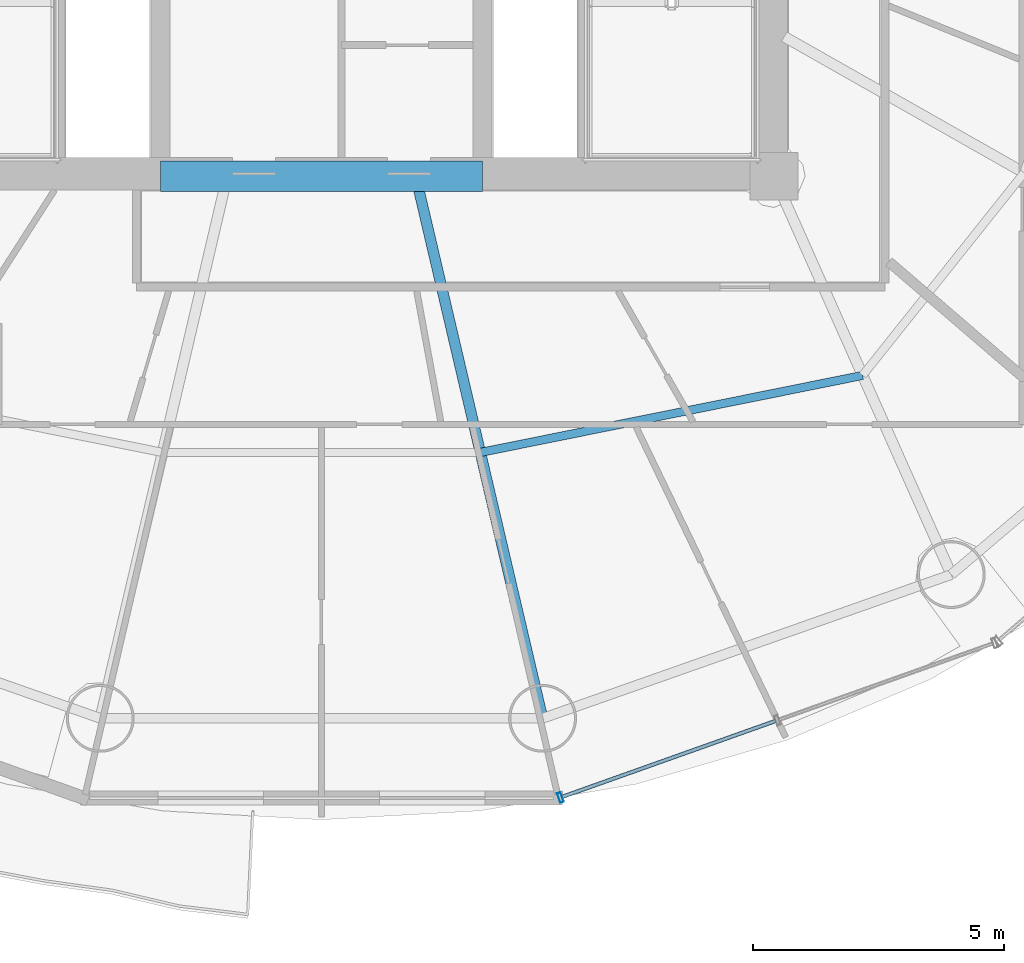
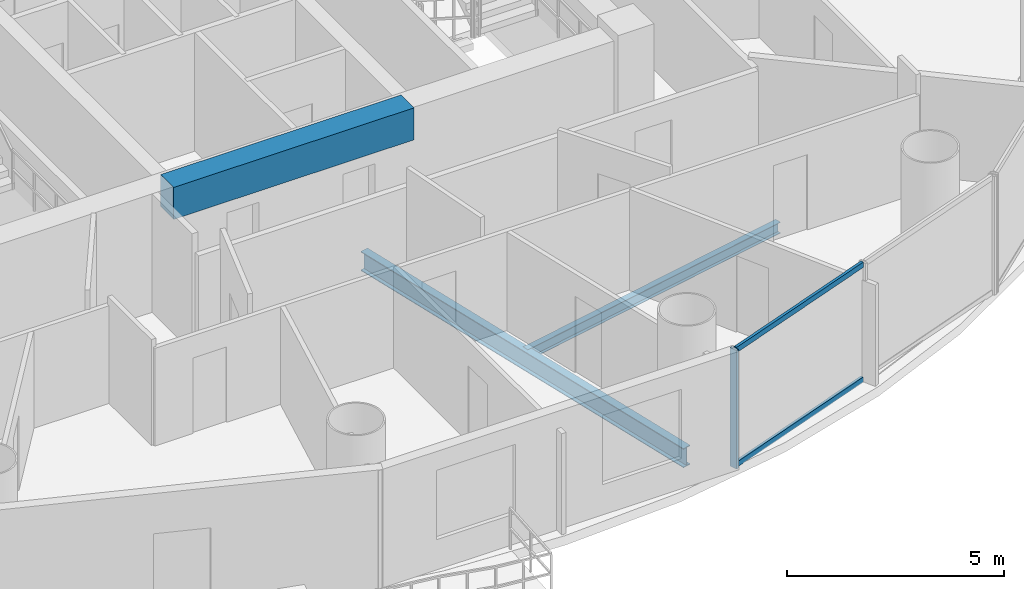
# One storey, part 5 of 27: 3 beams, 3 members, 1 element without a shape of its own.
"""IFC4 building model written with IfcOpenShell, lengths in metres."""

import ifcopenshell
import ifcopenshell.guid

model = None  # the IFC model being written
_history = None  # IfcOwnerHistory: only IFC2X3 demands one
_inside = {}  # id of a spatial element -> (the spatial element, [elements in it])
_under = {}  # id of a project, library or spatial element -> (it, [spatial elements below it])
_declared = {}  # id of a project -> (the project, [libraries it declares])
_typed = {}  # id of a type object -> (the type object, [elements of that type])
_made_of = {}  # id of a material, layer set ... -> (it, [elements and type objects made of it])


def new_model(schema):
    """Start an empty IFC model of exactly this schema.

    Asked for "IFC4X3", IfcOpenShell would pick the latest addendum, in which some entities
    have other attributes; the version numbers below select the first issue.
    IFC2X3 requires an IfcOwnerHistory on every rooted entity: one is made here for all.
    """
    global model, _history
    if schema == "IFC4X3":
        model = ifcopenshell.file(schema_version=(4, 3, 0, 0))
    else:
        model = ifcopenshell.file(schema=schema)
    _inside.clear()
    _under.clear()
    _declared.clear()
    _typed.clear()
    _made_of.clear()
    _history = None
    if model.schema == "IFC2X3":
        org = make("IfcOrganization", Name="unknown")
        user = make(
            "IfcPersonAndOrganization",
            ThePerson=make("IfcPerson", FamilyName="unknown"),
            TheOrganization=org,
        )
        app = make(
            "IfcApplication",
            ApplicationDeveloper=org,
            Version="unknown",
            ApplicationFullName="unknown",
            ApplicationIdentifier="unknown",
        )
        _history = make(
            "IfcOwnerHistory",
            OwningUser=user,
            OwningApplication=app,
            ChangeAction="ADDED",
            CreationDate=0,
        )
    return model


def make(cls, **values):
    """One entity of the class cls with the attributes given. An attribute that is None is left unset."""
    return model.create_entity(
        cls, **{name: value for name, value in values.items() if value is not None}
    )


def rooted(cls, **values):
    """An entity with a GlobalId (a new one), such as an element, a storey or a relation."""
    return make(cls, GlobalId=ifcopenshell.guid.new(), OwnerHistory=_history, **values)


def si_unit(unit_type, name, prefix=None):
    """IfcSIUnit, for example si_unit("LENGTHUNIT", "METRE", prefix="MILLI")."""
    return make("IfcSIUnit", UnitType=unit_type, Prefix=prefix, Name=name)


def assignment(units):
    """IfcUnitAssignment: the units of a project."""
    return None if units is None else make("IfcUnitAssignment", Units=units)


def point(xyz):
    """IfcCartesianPoint."""
    return None if xyz is None else make("IfcCartesianPoint", Coordinates=xyz)


def direction(xyz):
    """IfcDirection."""
    return None if xyz is None else make("IfcDirection", DirectionRatios=xyz)


def frame(location, z_axis=None, x_axis=None):
    """IfcAxis2Placement3D, a coordinate frame: its origin and axes. An axis left out is left unset."""
    return make(
        "IfcAxis2Placement3D",
        Location=point(location),
        Axis=direction(z_axis),
        RefDirection=direction(x_axis),
    )


def frame_2d(location, x_axis=None):
    """IfcAxis2Placement2D, a coordinate frame in the plane: its origin and x axis."""
    return make(
        "IfcAxis2Placement2D", Location=point(location), RefDirection=direction(x_axis)
    )


def origin():
    """The frame at (0, 0, 0) with its axes left unset."""
    return frame((0.0, 0.0, 0.0))


def origin_2d():
    """The frame at (0, 0) in the plane with its x axis left unset."""
    return frame_2d((0.0, 0.0))


def place(relative_to, where):
    """IfcLocalPlacement: puts the frame where relative to a parent placement (None: the world)."""
    return make(
        "IfcLocalPlacement", PlacementRelTo=relative_to, RelativePlacement=where
    )


def context(
    kind, dimensions, precision=None, world=None, true_north=None, identifier=None
):
    """IfcGeometricRepresentationContext, for example the 3D "Model" context."""
    return make(
        "IfcGeometricRepresentationContext",
        ContextIdentifier=identifier,
        ContextType=kind,
        CoordinateSpaceDimension=dimensions,
        Precision=precision,
        WorldCoordinateSystem=world,
        TrueNorth=true_north,
    )


def subcontext(parent, identifier, kind, view, scale=None):
    """IfcGeometricRepresentationSubContext, for example "Body" below "Model"."""
    return make(
        "IfcGeometricRepresentationSubContext",
        ContextIdentifier=identifier,
        ContextType=kind,
        ParentContext=parent,
        TargetScale=scale,
        TargetView=view,
    )


def project(units=None, contexts=None):
    """IfcProject with its units and contexts."""
    return rooted(
        "IfcProject",
        Name="project",
        RepresentationContexts=contexts,
        UnitsInContext=assignment(units),
    )


def spatial(cls, under=None, at=None, **own):
    """A site, building, storey or space (cls), placed at a placement, below another one or the project."""
    s = rooted(cls, ObjectPlacement=at, **own)
    if under is not None:
        _under.setdefault(under.id(), (under, []))[1].append(s)
    return s


def profile(cls, at=None, kind="AREA", **sizes):
    """A parametric profile (cls). Its sizes go by their IFC names, for example OverallWidth=200.0."""
    return make(cls, ProfileType=kind, Position=at, **sizes)


def rectangle(**sizes):
    """IfcRectangleProfileDef."""
    return profile("IfcRectangleProfileDef", **sizes)


def hollow_rectangle(**sizes):
    """IfcRectangleHollowProfileDef."""
    return profile("IfcRectangleHollowProfileDef", **sizes)


def i_section(**sizes):
    """IfcIShapeProfileDef."""
    return profile("IfcIShapeProfileDef", **sizes)


def extrude(swept, where, along, depth):
    """IfcExtrudedAreaSolid: the profile swept, set in the frame where, extruded along a direction by depth."""
    return make(
        "IfcExtrudedAreaSolid",
        SweptArea=swept,
        Position=where,
        ExtrudedDirection=direction(along),
        Depth=depth,
    )


def shape(context_of_items, identifier, shape_type, items):
    """IfcShapeRepresentation: the items that make up one representation, for example the "Body"."""
    return make(
        "IfcShapeRepresentation",
        ContextOfItems=context_of_items,
        RepresentationIdentifier=identifier,
        RepresentationType=shape_type,
        Items=items,
    )


def source(mapping_origin, context_of_items, identifier, shape_type, items):
    """IfcRepresentationMap: a shape defined once, which mapped items show again and again."""
    return make(
        "IfcRepresentationMap",
        MappingOrigin=mapping_origin,
        MappedRepresentation=shape(context_of_items, identifier, shape_type, items),
    )


def transform(
    local_origin,
    x_axis=None,
    y_axis=None,
    z_axis=None,
    scale=None,
    scale2=None,
    scale3=None,
    uniform=True,
):
    """IfcCartesianTransformationOperator3D, or its non-uniform kind. x_axis, y_axis, z_axis: its Axis1, 2, 3."""
    if uniform:
        return make(
            "IfcCartesianTransformationOperator3D",
            Axis1=direction(x_axis),
            Axis2=direction(y_axis),
            LocalOrigin=point(local_origin),
            Scale=scale,
            Axis3=direction(z_axis),
        )
    return make(
        "IfcCartesianTransformationOperator3DnonUniform",
        Axis1=direction(x_axis),
        Axis2=direction(y_axis),
        LocalOrigin=point(local_origin),
        Scale=scale,
        Axis3=direction(z_axis),
        Scale2=scale2,
        Scale3=scale3,
    )


def mapped(mapping_source, mapping_target):
    """IfcMappedItem: shows the shape of a source again, moved by a transform."""
    return make(
        "IfcMappedItem", MappingSource=mapping_source, MappingTarget=mapping_target
    )


def material(Name=None, Category=None):
    """IfcMaterial."""
    return make("IfcMaterial", Name=Name, Category=Category)


def material_profile(
    of_material, cross_section, Name=None, Category=None, Priority=None
):
    """IfcMaterialProfile: a cross section and its material."""
    return make(
        "IfcMaterialProfile",
        Name=Name,
        Material=of_material,
        Profile=cross_section,
        Priority=Priority,
        Category=Category,
    )


def profile_set(profiles, Name=None, composite=None):
    """IfcMaterialProfileSet."""
    return make(
        "IfcMaterialProfileSet",
        Name=Name,
        MaterialProfiles=profiles,
        CompositeProfile=composite,
    )


def made_of(thing, what):
    """Note that an element or type object is made of a material, layer set ...; save() writes the relation."""
    if what is not None:
        _made_of.setdefault(what.id(), (what, []))[1].append(thing)
    return thing


def type_object(cls, material=None, **own):
    """A type object (cls), such as IfcWallType, which elements share."""
    return made_of(rooted(cls, **own), material)


def element(
    cls,
    number,
    at=None,
    inside=None,
    cuts=None,
    type_object=None,
    material=None,
    context=None,
    identifier="Body",
    shape_type=None,
    held_by="IfcProductDefinitionShape",
    body=None,
    shapes=None,
    **own,
):
    """One element of the class cls, such as IfcWall. Its Tag is "e" and its number.

    at: its placement. inside: the storey or other place that contains it. cuts: it is an
    opening in that element (IfcRelVoidsElement). A single representation is given by context,
    identifier, shape_type and body (its items); several are given by shapes. held_by: the class
    of the entity that holds the representations. save() writes the other relations.
    """
    e = rooted(cls, Tag="e%d" % number, ObjectPlacement=at, **own)
    if body is not None:
        shapes = [shape(context, identifier, shape_type, body)]
    if shapes is not None:
        e.Representation = make(held_by, Representations=shapes)
    if inside is not None:
        _inside.setdefault(inside.id(), (inside, []))[1].append(e)
    if cuts is not None:
        rooted(
            "IfcRelVoidsElement", RelatingBuildingElement=cuts, RelatedOpeningElement=e
        )
    if type_object is not None:
        _typed.setdefault(type_object.id(), (type_object, []))[1].append(e)
    return made_of(e, material)


def aggregate(whole, parts):
    """IfcRelAggregates: a whole, such as a stair, and the parts it consists of."""
    return rooted("IfcRelAggregates", RelatingObject=whole, RelatedObjects=parts)


def save(model, path):
    """Write the relations noted so far, then the file.

    IfcRelAggregates (storeys below a building ...), IfcRelContainedInSpatialStructure (elements
    in a storey), IfcRelDefinesByType, IfcRelAssociatesMaterial and IfcRelDeclares: one each for
    every whole, place, type object, material and project.
    """
    for whole, parts in _under.values():
        aggregate(whole, parts)
    for where, things in _inside.values():
        rooted(
            "IfcRelContainedInSpatialStructure",
            RelatedElements=things,
            RelatingStructure=where,
        )
    for kind, things in _typed.values():
        rooted("IfcRelDefinesByType", RelatedObjects=things, RelatingType=kind)
    for what, things in _made_of.values():
        rooted("IfcRelAssociatesMaterial", RelatedObjects=things, RelatingMaterial=what)
    for by, libraries in _declared.values():
        rooted("IfcRelDeclares", RelatingContext=by, RelatedDefinitions=libraries)
    model.write(path)


model = new_model("IFC4")

# Units and contexts
model_context = context("Model", 3, precision=1e-05, world=origin(), true_north=direction((-0.2419218956, 0.970295726276)))
body_context = subcontext(model_context, "Body", "Model", "MODEL_VIEW")
ifc_project = project(units=[si_unit("LENGTHUNIT", "METRE"), si_unit("AREAUNIT", "SQUARE_METRE"), si_unit("VOLUMEUNIT", "CUBIC_METRE"), si_unit("PLANEANGLEUNIT", "RADIAN"), si_unit("MASSUNIT", "GRAM", prefix="KILO")], contexts=[model_context])

# Site, building, storey
site_placement = place(None, origin())
site = spatial("IfcSite", under=ifc_project, at=site_placement, CompositionType="ELEMENT")
building_placement = place(site_placement, origin())
building = spatial("IfcBuilding", under=site, at=building_placement, Name="Cobrevalo Terracotta Tower", CompositionType="ELEMENT")
storey_placement = place(building_placement, frame((0.0, 0.0, 153.39990234375)))
storey = spatial("IfcBuildingStorey", under=building, at=storey_placement, Name="L40", CompositionType="ELEMENT", Elevation=153.39990234375)

# Beams
ifc_material_1 = material(Name="Concrete C60", Category="concrete")
ifc_material_profile_1 = material_profile(ifc_material_1, rectangle(XDim=0.60009765625, YDim=0.89990234375, at=origin_2d()), Name="RC CB 600x900")
ifc_profile_set_1 = profile_set([ifc_material_profile_1], Name="Concrete C60")
beam_type_1 = type_object("IfcBeamType", Name="Structural Beam RC CB 600x900 (Concrete C60)", PredefinedType="BEAM", material=ifc_profile_set_1)
beam_1_placement = place(storey_placement, frame((34.800048828125, 18.800048828125, 2.880126953125), z_axis=(1.0, 0.0, 0.0), x_axis=(0.0, 1.0, 0.0)))
element("IfcBeam", 1, at=beam_1_placement, inside=storey, type_object=beam_type_1, Name="L40 core coupling beam 1", PredefinedType="BEAM", context=body_context, shape_type="SweptSolid", body=[
    extrude(rectangle(XDim=0.60009765625, YDim=0.89990234375, at=origin_2d()), origin(), (0.0, 0.0, 1.0), 6.39990234375),
])
ifc_material_2 = material(Name="Steel S355", Category="steel")
ifc_material_profile_2 = material_profile(ifc_material_2, i_section(OverallWidth=0.2109375, OverallDepth=0.5390625, WebThickness=0.01171875, FlangeThickness=0.018798828125, at=origin_2d()), Name="W 530x109")
ifc_profile_set_2 = profile_set([ifc_material_profile_2], Name="Steel S355")
beam_type_2 = type_object("IfcBeamType", Name="Structural Beam W 530x109 (Steel S355)", PredefinedType="BEAM", material=ifc_profile_set_2)
beam_2_placement = place(storey_placement, frame((42.399169921875, 8.01806640625, -0.539306640625), z_axis=(-0.228045854186, 0.973650393308, 0.0), x_axis=(-0.973650393308, -0.228045854186, 0.0)))
element("IfcBeam", 2, at=beam_2_placement, inside=storey, type_object=beam_type_2, Name="L40 radial floor girder 13", PredefinedType="BEAM", context=body_context, shape_type="SweptSolid", body=[
    extrude(i_section(OverallWidth=0.2109375, OverallDepth=0.5390625, WebThickness=0.01171875, FlangeThickness=0.018798828125, at=origin_2d()), origin(), (0.0, 0.0, 1.0), 10.863037109375),
])
ifc_material_profile_3 = material_profile(ifc_material_2, i_section(OverallWidth=0.1650390625, OverallDepth=0.31005859375, WebThickness=0.005859375, FlangeThickness=0.009765625, at=origin_2d()), Name="W 310x38.7")
ifc_profile_set_3 = profile_set([ifc_material_profile_3], Name="Steel S355")
beam_type_3 = type_object("IfcBeamType", Name="Structural Joist W 310x38.7 (Steel S355)", PredefinedType="JOIST", material=ifc_profile_set_3)
beam_3_placement = place(storey_placement, frame((41.16064453125, 13.306396484375, -0.4248046875), z_axis=(0.980293928329, 0.197544461026, 0.0), x_axis=(-0.197544461026, 0.980293928329, 0.0)))
element("IfcBeam", 3, at=beam_3_placement, inside=storey, type_object=beam_type_3, Name="L40 circumferential secondary floor joist 13", PredefinedType="JOIST", context=body_context, shape_type="SweptSolid", body=[
    extrude(i_section(OverallWidth=0.1650390625, OverallDepth=0.31005859375, WebThickness=0.005859375, FlangeThickness=0.009765625, at=origin_2d()), origin(), (0.0, 0.0, 1.0), 7.75634765625),
])

# Curtain wall, members
ifc_material_3 = material(Name="Anodized aluminium", Category="aluminium")
curtain_wall_type = type_object("IfcCurtainWallType", Name="Mid-tower high-wind unitised curtain wall CW-U2", PredefinedType="NOTDEFINED", material=ifc_material_3)
curtain_wall_placement = place(storey_placement, origin())
curtain_wall = element("IfcCurtainWall", 4, at=curtain_wall_placement, inside=storey, type_object=curtain_wall_type, Name="L40 curtain wall CW-L40-S13", PredefinedType="NOTDEFINED")
ifc_material_profile_4 = material_profile(ifc_material_3, hollow_rectangle(XDim=0.074951171875, YDim=0.199951171875, WallThickness=0.0048828125, at=origin_2d()), Name="CWM 75x200")
ifc_profile_set_4 = profile_set([ifc_material_profile_4], Name="Anodized aluminium")
member_type_1 = type_object("IfcMemberType", Name="Lower/mid tower unitised mullion 75x200", PredefinedType="MULLION", material=ifc_profile_set_4)
shared_shape_1 = source(origin(), body_context, "Body", "SweptSolid", [
    extrude(hollow_rectangle(XDim=0.074951171875, YDim=0.199951171875, WallThickness=0.0048828125, at=origin_2d()), origin(), (0.0, 0.0, 1.0), 3.330078125),
])
member_1_placement = place(storey_placement, frame((42.7529296875, 6.4423828125, 0.0), z_axis=(0.0, 0.0, 1.0), x_axis=(0.942098428897, 0.335336473217, 0.0)))
member_1 = element("IfcMember", 5, at=member_1_placement, type_object=member_type_1, Name="CW-L40-S13 vertical mullion 01", PredefinedType="MULLION", context=body_context, shape_type="MappedRepresentation", body=[
    mapped(shared_shape_1, transform((0.0, 0.0, 0.0), scale=1.0)),
])
ifc_material_profile_5 = material_profile(ifc_material_3, hollow_rectangle(XDim=0.074951171875, YDim=0.14990234375, WallThickness=0.00439453125, at=origin_2d()), Name="CWT 75x150")
ifc_profile_set_5 = profile_set([ifc_material_profile_5], Name="Anodized aluminium")
member_type_2 = type_object("IfcMemberType", Name="Tower unitised aluminium transom 75x150", PredefinedType="USERDEFINED", material=ifc_profile_set_5)
shared_shape_2 = source(origin(), body_context, "Body", "SweptSolid", [
    extrude(hollow_rectangle(XDim=0.074951171875, YDim=0.14990234375, WallThickness=0.00439453125, at=origin_2d()), origin(), (0.0, 0.0, 1.0), 4.50390625),
])
member_2_placement = place(storey_placement, frame((42.790771484375, 6.455810546875, 0.050048828125), z_axis=(0.942087248155, 0.335367882873, 0.0), x_axis=(-0.335367882873, 0.942087248155, 0.0)))
member_2 = element("IfcMember", 6, at=member_2_placement, type_object=member_type_2, Name="CW-L40-S13 transom B01-T1", ObjectType="TRANSOM", PredefinedType="USERDEFINED", context=body_context, shape_type="MappedRepresentation", body=[
    mapped(shared_shape_2, transform((0.0, 0.0, 0.0), scale=1.0)),
])
member_3_placement = place(storey_placement, frame((42.790771484375, 6.455810546875, 3.280029296875), z_axis=(0.942087248155, 0.335367882873, 0.0), x_axis=(-0.335367882873, 0.942087248155, 0.0)))
member_3 = element("IfcMember", 7, at=member_3_placement, type_object=member_type_2, Name="CW-L40-S13 transom B01-T2", ObjectType="TRANSOM", PredefinedType="USERDEFINED", context=body_context, shape_type="MappedRepresentation", body=[
    mapped(shared_shape_2, transform((0.0, 0.0, 0.0), scale=1.0)),
])
aggregate(curtain_wall, [member_1, member_2, member_3])

save(model, "model.ifc")
